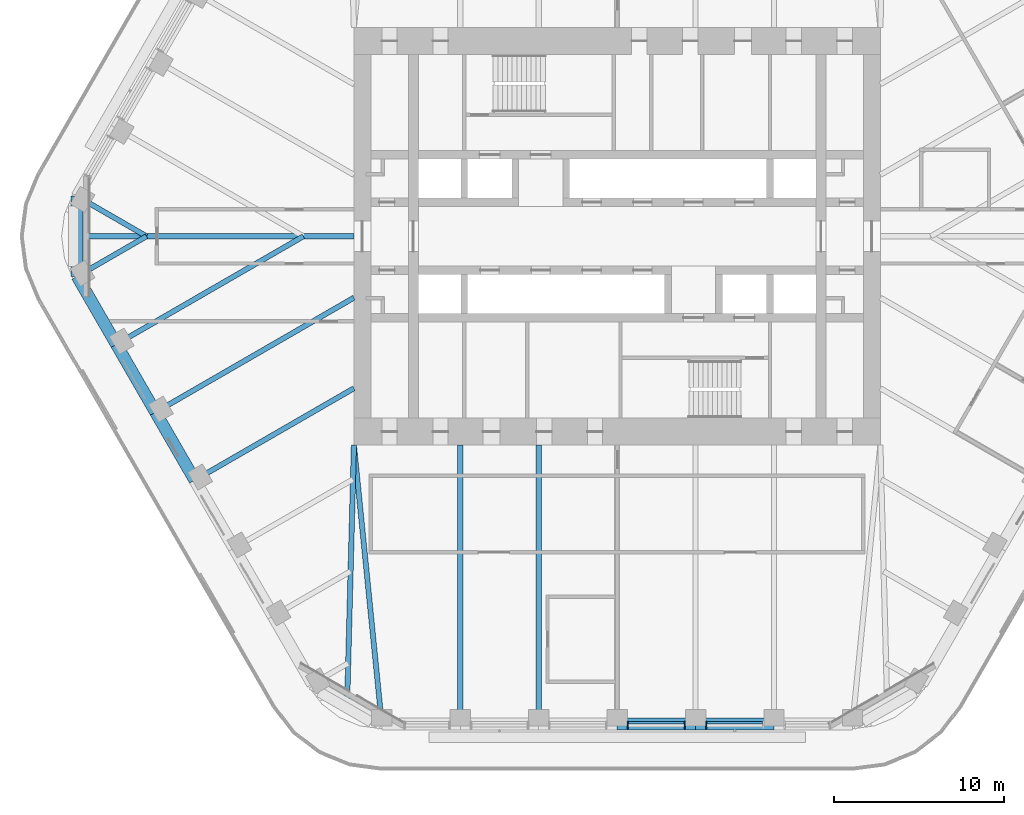
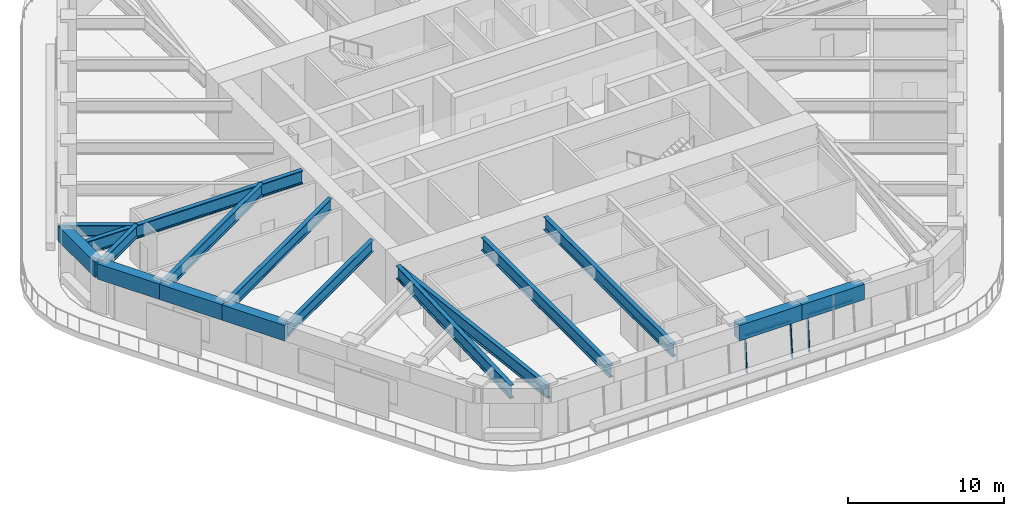
# One storey, part 3 of 20: 16 beams, 5 members, 2 elements without a shape of their own.
"""IFC4 building model written with IfcOpenShell, lengths in metres."""

from ifc_helpers import new_model, si_unit, direction, frame, origin, origin_2d, place, context, subcontext, project, spatial, rectangle, i_section, extrude, material, material_profile, profile_set, type_object, element, aggregate, save


model = new_model("IFC4")

# Units and contexts
model_context = context("Model", 3, precision=1e-05, world=origin(), true_north=direction((0.0, 1.0)))
body_context = subcontext(model_context, "Body", "Model", "MODEL_VIEW")
ifc_project = project(units=[si_unit("LENGTHUNIT", "METRE"), si_unit("AREAUNIT", "SQUARE_METRE"), si_unit("VOLUMEUNIT", "CUBIC_METRE"), si_unit("PLANEANGLEUNIT", "RADIAN"), si_unit("MASSUNIT", "GRAM", prefix="KILO")], contexts=[model_context])

# Site, building, storey
site_placement = place(None, origin())
site = spatial("IfcSite", under=ifc_project, at=site_placement, CompositionType="ELEMENT")
building_placement = place(site_placement, origin())
building = spatial("IfcBuilding", under=site, at=building_placement, Name="Tarfa Lantern Tower", CompositionType="ELEMENT")
storey_placement = place(building_placement, frame((0.0, 0.0, 265.89990234375)))
storey = spatial("IfcBuildingStorey", under=building, at=storey_placement, Name="L60", CompositionType="ELEMENT", Elevation=265.89990234375)

# Curtain wall, members
ifc_material_1 = material(Name="Aluminium framed curtain wall", Category="aluminium")
curtain_wall_type = type_object("IfcCurtainWallType", Name="CW3 CANTED GLAZING HIGH ZONE 2800", PredefinedType="USERDEFINED", material=ifc_material_1)
curtain_wall_1_placement = place(storey_placement, origin())
curtain_wall_1 = element("IfcCurtainWall", 1, at=curtain_wall_1_placement, inside=storey, type_object=curtain_wall_type, Name="CW3 S L60", ObjectType="CURTAIN WALL", PredefinedType="USERDEFINED")
ifc_material_2 = material(Name="Aluminium mullion", Category="aluminium")
ifc_material_profile_1 = material_profile(ifc_material_2, rectangle(XDim=0.06494140625, YDim=0.199951171875, at=origin_2d()), Name="AL MULLION 65x200")
ifc_profile_set_1 = profile_set([ifc_material_profile_1], Name="Aluminium mullion")
member_type_1 = type_object("IfcMemberType", Name="CWM1 MULLION 65x200", PredefinedType="MULLION", material=ifc_profile_set_1)
member_1_placement = place(storey_placement, frame((0.632568359375, -28.89990234375, 0.0), z_axis=(0.0, 0.088930399417, 0.996037842685), x_axis=(-1.0, 0.0, 0.0)))
member_1 = element("IfcMember", 2, at=member_1_placement, type_object=member_type_1, Name="CW3 mullion 1", PredefinedType="MULLION", context=body_context, shape_type="SweptSolid", body=[
    extrude(rectangle(XDim=0.06494140625, YDim=0.199951171875, at=origin_2d()), origin(), (0.0, 0.0, 1.0), 2.811279296875),
])
member_2_placement = place(storey_placement, frame((3.986328125, -28.89990234375, 0.0), z_axis=(0.0, 0.088930399417, 0.996037842685), x_axis=(-1.0, 0.0, 0.0)))
member_2 = element("IfcMember", 3, at=member_2_placement, type_object=member_type_1, Name="CW3 mullion 2", PredefinedType="MULLION", context=body_context, shape_type="SweptSolid", body=[
    extrude(rectangle(XDim=0.06494140625, YDim=0.199951171875, at=origin_2d()), origin(), (0.0, 0.0, 1.0), 2.811279296875),
])

# Curtain wall, member
curtain_wall_2_placement = place(storey_placement, origin())
curtain_wall_2 = element("IfcCurtainWall", 4, at=curtain_wall_2_placement, inside=storey, type_object=curtain_wall_type, Name="CW3 S L60", ObjectType="CURTAIN WALL", PredefinedType="USERDEFINED")
member_3_placement = place(storey_placement, frame((5.251220703125, -28.89990234375, 0.0), z_axis=(0.0, 0.088930399417, 0.996037842685), x_axis=(-1.0, 0.0, 0.0)))
member_3 = element("IfcMember", 5, at=member_3_placement, type_object=member_type_1, Name="CW3 mullion 1", PredefinedType="MULLION", context=body_context, shape_type="SweptSolid", body=[
    extrude(rectangle(XDim=0.06494140625, YDim=0.199951171875, at=origin_2d()), origin(), (0.0, 0.0, 1.0), 2.811279296875),
])

# Member
ifc_material_3 = material(Name="Aluminium transom", Category="aluminium")
ifc_material_profile_2 = material_profile(ifc_material_3, rectangle(XDim=0.14990234375, YDim=0.06494140625, at=origin_2d()), Name="AL TRANSOM 150x65")
ifc_profile_set_2 = profile_set([ifc_material_profile_2], Name="Aluminium transom")
member_type_2 = type_object("IfcMemberType", Name="CWT1 TRANSOM 150x65", PredefinedType="USERDEFINED", material=ifc_profile_set_2)
member_4_placement = place(storey_placement, frame((0.6650390625, -28.65283203125, 2.767578125), z_axis=(1.0, 0.0, 0.0), x_axis=(0.0, 1.0, 0.0)))
member_4 = element("IfcMember", 6, at=member_4_placement, type_object=member_type_2, Name="CW3 transom 1.2", ObjectType="TRANSOM", PredefinedType="USERDEFINED", context=body_context, shape_type="SweptSolid", body=[
    extrude(rectangle(XDim=0.14990234375, YDim=0.06494140625, at=origin_2d()), origin(), (0.0, 0.0, 1.0), 3.288818359375),
])

aggregate(curtain_wall_1, [member_1, member_2, member_4])

member_5_placement = place(storey_placement, frame((5.28369140625, -28.65283203125, 2.767578125), z_axis=(1.0, 0.0, 0.0), x_axis=(0.0, 1.0, 0.0)))
member_5 = element("IfcMember", 7, at=member_5_placement, type_object=member_type_2, Name="CW3 transom 1.2", ObjectType="TRANSOM", PredefinedType="USERDEFINED", context=body_context, shape_type="SweptSolid", body=[
    extrude(rectangle(XDim=0.14990234375, YDim=0.06494140625, at=origin_2d()), origin(), (0.0, 0.0, 1.0), 3.288818359375),
])

aggregate(curtain_wall_2, [member_3, member_5])

# Beams
ifc_material_4 = material(Name="Concrete C80/95", Category="concrete")
ifc_material_profile_3 = material_profile(ifc_material_4, rectangle(XDim=0.699951171875, YDim=1.199951171875, at=origin_2d()), Name="RC 700x1200")
ifc_profile_set_3 = profile_set([ifc_material_profile_3], Name="Concrete C80/95")
beam_type_1 = type_object("IfcBeamType", Name="EB3 RC 700x1200", PredefinedType="SPANDREL", material=ifc_profile_set_3)
beam_1_placement = place(storey_placement, frame((-31.800537109375, 2.360107421875, 3.400146484375), z_axis=(0.0, -1.0, 0.0), x_axis=(1.0, 0.0, 0.0)))
element("IfcBeam", 8, at=beam_1_placement, inside=storey, type_object=beam_type_1, Name="Edge beam NW6", PredefinedType="SPANDREL", context=body_context, shape_type="SweptSolid", body=[
    extrude(rectangle(XDim=0.699951171875, YDim=1.199951171875, at=origin_2d()), origin(), (0.0, 0.0, 1.0), 4.72021484375),
])
beam_2_placement = place(storey_placement, frame((-31.800537109375, -2.360107421875, 3.400146484375), z_axis=(0.500027479704, -0.866009537788, 0.0), x_axis=(0.866009537788, 0.500027479704, 0.0)))
element("IfcBeam", 9, at=beam_2_placement, inside=storey, type_object=beam_type_1, Name="Edge beam SW0", PredefinedType="SPANDREL", context=body_context, shape_type="SweptSolid", body=[
    extrude(rectangle(XDim=0.699951171875, YDim=1.199951171875, at=origin_2d()), origin(), (0.0, 0.0, 1.0), 4.618896484375),
])
for number, where, z_axis, x_axis, name in (
    (10, (-29.490966796875, -6.360107421875, 3.400146484375), (0.499987836815, -0.866032426089, 0.0), (0.866032426089, 0.499987836815, 0.0), "Edge beam SW1"),
    (11, (-27.181640625, -10.360107421875, 3.400146484375), (0.499987836815, -0.866032426089, 0.0), (0.866032426089, 0.499987836815, 0.0), "Edge beam SW2"),
):
    element("IfcBeam", number, at=place(storey_placement, frame(where, z_axis=z_axis, x_axis=x_axis)), inside=storey, type_object=beam_type_1, Name=name, PredefinedType="SPANDREL", context=body_context, shape_type="SweptSolid", body=[
        extrude(rectangle(XDim=0.699951171875, YDim=1.199951171875, at=origin_2d()), origin(), (0.0, 0.0, 1.0), 4.61865234375),
    ])
beam_3_placement = place(storey_placement, frame((0.0, -28.719970703125, 3.400146484375), z_axis=(1.0, 0.0, 0.0), x_axis=(0.0, 1.0, 0.0)))
element("IfcBeam", 12, at=beam_3_placement, inside=storey, type_object=beam_type_1, Name="Edge beam S3", PredefinedType="SPANDREL", context=body_context, shape_type="SweptSolid", body=[
    extrude(rectangle(XDim=0.699951171875, YDim=1.199951171875, at=origin_2d()), origin(), (0.0, 0.0, 1.0), 4.618896484375),
])
beam_4_placement = place(storey_placement, frame((4.618896484375, -28.719970703125, 3.400146484375), z_axis=(1.0, 0.0, 0.0), x_axis=(0.0, 1.0, 0.0)))
element("IfcBeam", 13, at=beam_4_placement, inside=storey, type_object=beam_type_1, Name="Edge beam S4", PredefinedType="SPANDREL", context=body_context, shape_type="SweptSolid", body=[
    extrude(rectangle(XDim=0.699951171875, YDim=1.199951171875, at=origin_2d()), origin(), (0.0, 0.0, 1.0), 4.61865234375),
])
ifc_material_5 = material(Name="Steel S460M", Category="steel")
ifc_material_profile_4 = material_profile(ifc_material_5, i_section(OverallWidth=0.302001953125, OverallDepth=1.008056640625, WebThickness=0.02099609375, FlangeThickness=0.0400390625, FilletRadius=0.030029296875, at=origin_2d()), Name="UB1016x305x349")
ifc_profile_set_4 = profile_set([ifc_material_profile_4], Name="Steel S460M")
beam_type_2 = type_object("IfcBeamType", Name="UB1016x305x349", PredefinedType="BEAM", material=ifc_profile_set_4)
beam_5_placement = place(storey_placement, frame((-13.8564453125, -28.719970703125, 3.49609375), z_axis=(-0.099597466746, 0.995027810977, 0.0), x_axis=(-0.995027810977, -0.099597466746, 0.0)))
element("IfcBeam", 14, at=beam_5_placement, inside=storey, type_object=beam_type_2, Name="Floor beam S0", PredefinedType="BEAM", context=body_context, shape_type="SweptSolid", body=[
    extrude(i_section(OverallWidth=0.302001953125, OverallDepth=1.008056640625, WebThickness=0.02099609375, FlangeThickness=0.0400390625, FilletRadius=0.030029296875, at=origin_2d()), origin(), (0.0, 0.0, 1.0), 16.501953125),
])
for number, where, z_axis, x_axis, name in (
    (15, (-9.237548828125, -28.719970703125, 3.49609375), (0.0, 1.0, 0.0), (-1.0, 0.0, 0.0), "Floor beam S1"),
    (16, (-4.618896484375, -28.719970703125, 3.49609375), (0.0, 1.0, 0.0), (-1.0, 0.0, 0.0), "Floor beam S2"),
):
    element("IfcBeam", number, at=place(storey_placement, frame(where, z_axis=z_axis, x_axis=x_axis)), inside=storey, type_object=beam_type_2, Name=name, PredefinedType="BEAM", context=body_context, shape_type="SweptSolid", body=[
        extrude(i_section(OverallWidth=0.302001953125, OverallDepth=1.008056640625, WebThickness=0.02099609375, FlangeThickness=0.0400390625, FilletRadius=0.030029296875, at=origin_2d()), origin(), (0.0, 0.0, 1.0), 16.419921875),
    ])
ifc_material_profile_5 = material_profile(ifc_material_5, i_section(OverallWidth=0.30859375, OverallDepth=1.036376953125, WebThickness=0.030029296875, FlangeThickness=0.05419921875, FilletRadius=0.030029296875, at=origin_2d()), Name="UB1016x305x487")
ifc_profile_set_5 = profile_set([ifc_material_profile_5], Name="Steel S460M")
beam_type_3 = type_object("IfcBeamType", Name="UB1016x305x487", PredefinedType="BEAM", material=ifc_profile_set_5)
beam_6_placement = place(storey_placement, frame((-15.5, 0.0, 3.48193359375), z_axis=(-1.0, 0.0, 0.0), x_axis=(0.0, -1.0, 0.0)))
element("IfcBeam", 17, at=beam_6_placement, inside=storey, type_object=beam_type_3, Name="Hip girder W", PredefinedType="BEAM", context=body_context, shape_type="SweptSolid", body=[
    extrude(i_section(OverallWidth=0.30859375, OverallDepth=1.036376953125, WebThickness=0.030029296875, FlangeThickness=0.05419921875, FilletRadius=0.030029296875, at=origin_2d()), origin(), (0.0, 0.0, 1.0), 16.300537109375),
])
beam_7_placement = place(storey_placement, frame((-15.5, -12.300048828125, 3.48193359375), z_axis=(-0.026247301989, -0.999655480222, 0.0), x_axis=(0.999655480222, -0.026247301989, 0.0)))
element("IfcBeam", 18, at=beam_7_placement, inside=storey, type_object=beam_type_3, Name="Hip girder SW", PredefinedType="BEAM", context=body_context, shape_type="SweptSolid", body=[
    extrude(i_section(OverallWidth=0.30859375, OverallDepth=1.036376953125, WebThickness=0.030029296875, FlangeThickness=0.05419921875, FilletRadius=0.030029296875, at=origin_2d()), origin(), (0.0, 0.0, 1.0), 15.245361328125),
])
ifc_material_profile_6 = material_profile(ifc_material_5, i_section(OverallWidth=0.305419921875, OverallDepth=0.91845703125, WebThickness=0.017333984375, FlangeThickness=0.02783203125, FilletRadius=0.01904296875, at=origin_2d()), Name="UB914x305x253")
ifc_profile_set_6 = profile_set([ifc_material_profile_6], Name="Steel S460M")
beam_type_4 = type_object("IfcBeamType", Name="UB914x305x253", PredefinedType="BEAM", material=ifc_profile_set_6)
for number, where, z_axis, x_axis, name in (
    (19, (-31.800537109375, 2.360107421875, 3.541015625), (0.866015897305, -0.500016465344, 0.0), (0.500016465344, 0.866015897305, 0.0), "Floor beam NW6"),
    (20, (-31.800537109375, -2.360107421875, 3.541015625), (0.866015897305, 0.500016465344, 0.0), (-0.500016465344, 0.866015897305, 0.0), "Floor beam SW0"),
):
    element("IfcBeam", number, at=place(storey_placement, frame(where, z_axis=z_axis, x_axis=x_axis)), inside=storey, type_object=beam_type_4, Name=name, PredefinedType="BEAM", context=body_context, shape_type="SweptSolid", body=[
        extrude(i_section(OverallWidth=0.305419921875, OverallDepth=0.91845703125, WebThickness=0.017333984375, FlangeThickness=0.02783203125, FilletRadius=0.01904296875, at=origin_2d()), origin(), (0.0, 0.0, 1.0), 4.719970703125),
    ])
beam_8_placement = place(storey_placement, frame((-29.490966796875, -6.360107421875, 3.541015625), z_axis=(0.866022258038, 0.500005448553, 0.0), x_axis=(-0.500005448553, 0.866022258038, 0.0)))
element("IfcBeam", 21, at=beam_8_placement, inside=storey, type_object=beam_type_4, Name="Floor beam SW1", PredefinedType="BEAM", context=body_context, shape_type="SweptSolid", body=[
    extrude(i_section(OverallWidth=0.305419921875, OverallDepth=0.91845703125, WebThickness=0.017333984375, FlangeThickness=0.02783203125, FilletRadius=0.01904296875, at=origin_2d()), origin(), (0.0, 0.0, 1.0), 12.719970703125),
])
beam_9_placement = place(storey_placement, frame((-27.181640625, -10.360107421875, 3.541015625), z_axis=(0.866018002818, 0.500012818631, 0.0), x_axis=(-0.500012818631, 0.866018002818, 0.0)))
element("IfcBeam", 22, at=beam_9_placement, inside=storey, type_object=beam_type_4, Name="Floor beam SW2", PredefinedType="BEAM", context=body_context, shape_type="SweptSolid", body=[
    extrude(i_section(OverallWidth=0.305419921875, OverallDepth=0.91845703125, WebThickness=0.017333984375, FlangeThickness=0.02783203125, FilletRadius=0.01904296875, at=origin_2d()), origin(), (0.0, 0.0, 1.0), 13.489013671875),
])
beam_10_placement = place(storey_placement, frame((-24.872314453125, -14.360107421875, 3.541015625), z_axis=(0.8660244219, 0.500001700669, 0.0), x_axis=(-0.500001700669, 0.8660244219, 0.0)))
element("IfcBeam", 23, at=beam_10_placement, inside=storey, type_object=beam_type_4, Name="Floor beam SW3", PredefinedType="BEAM", context=body_context, shape_type="SweptSolid", body=[
    extrude(i_section(OverallWidth=0.305419921875, OverallDepth=0.91845703125, WebThickness=0.017333984375, FlangeThickness=0.02783203125, FilletRadius=0.01904296875, at=origin_2d()), origin(), (0.0, 0.0, 1.0), 10.822265625),
])

save(model, "model.ifc")
